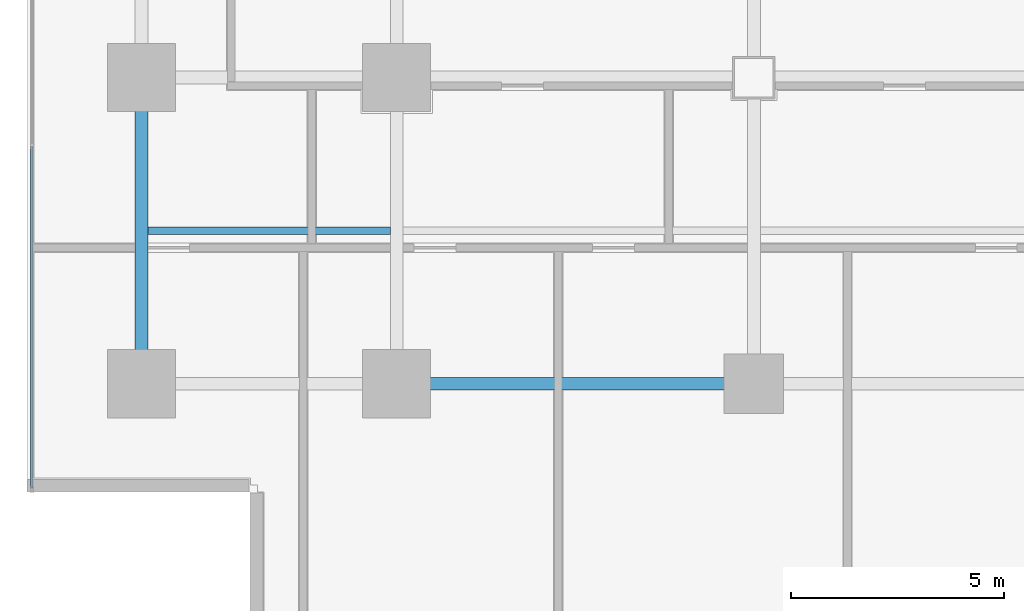
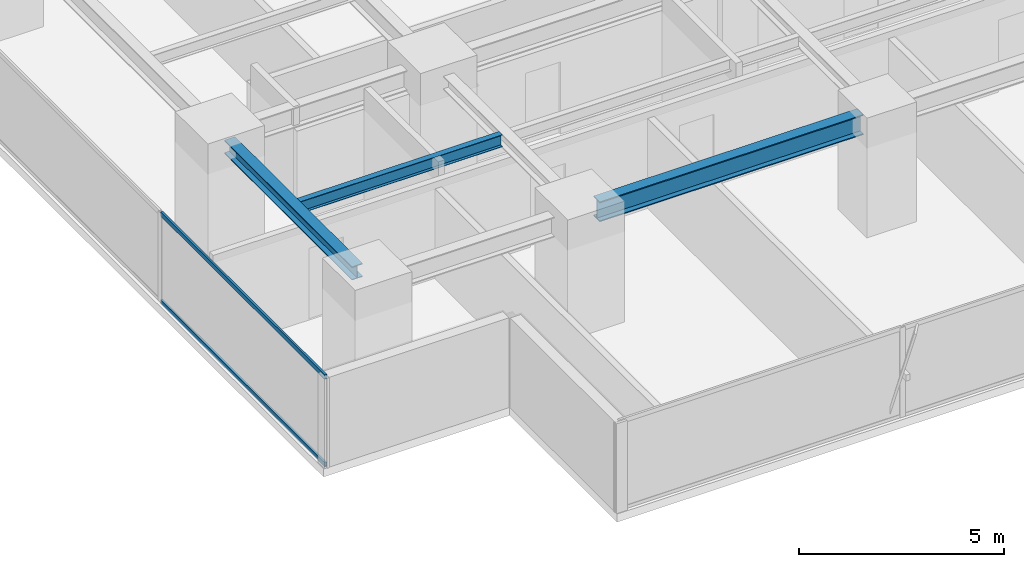
# One storey, part 3 of 36: 3 beams, 2 members, 1 element without a shape of its own.
"""IFC4 building model written with IfcOpenShell, lengths in metres."""

from ifc_helpers import new_model, si_unit, direction, frame, origin, origin_2d, place, context, subcontext, project, spatial, hollow_rectangle, i_section, extrude, source, transform, mapped, material, layer, layer_set, material_profile, profile_set, type_object, element, aggregate, save


model = new_model("IFC4")

# Units and contexts
model_context = context("Model", 3, precision=1e-05, world=origin(), true_north=direction((0.0, 1.0)))
body_context = subcontext(model_context, "Body", "Model", "MODEL_VIEW")
ifc_project = project(units=[si_unit("LENGTHUNIT", "METRE"), si_unit("AREAUNIT", "SQUARE_METRE"), si_unit("VOLUMEUNIT", "CUBIC_METRE"), si_unit("PLANEANGLEUNIT", "RADIAN"), si_unit("MASSUNIT", "GRAM", prefix="KILO")], contexts=[model_context])

# Site, building, storey
site_placement = place(None, origin())
site = spatial("IfcSite", under=ifc_project, at=site_placement, CompositionType="ELEMENT")
building_placement = place(site_placement, origin())
building = spatial("IfcBuilding", under=site, at=building_placement, Name="Sumidabori Civic Tower", CompositionType="ELEMENT")
storey_placement = place(building_placement, frame((0.0, 0.0, 120.800048828125)))
storey = spatial("IfcBuildingStorey", under=building, at=storey_placement, Name="L31", CompositionType="ELEMENT", Elevation=120.800048828125)

# Beams
ifc_material_1 = material(Name="Steel SN490", Category="steel")
ifc_material_profile_1 = material_profile(ifc_material_1, i_section(OverallWidth=0.300048828125, OverallDepth=0.60009765625, WebThickness=0.015380859375, FlangeThickness=0.030029296875, at=origin_2d()), Name="HE 600 B")
ifc_profile_set_1 = profile_set([ifc_material_profile_1], Name="Steel SN490")
beam_type_1 = type_object("IfcBeamType", Name="BM-GIRD-600", PredefinedType="BEAM", material=ifc_profile_set_1)
shared_shape_1 = source(origin(), body_context, "Body", "SweptSolid", [
    extrude(i_section(OverallWidth=0.300048828125, OverallDepth=0.60009765625, WebThickness=0.015380859375, FlangeThickness=0.030029296875, at=origin_2d()), origin(), (0.0, 0.0, 1.0), 7.440185546875),
])
beam_1_placement = place(storey_placement, frame((-16.320068359375, -18.0, 3.0), z_axis=(1.0, 0.0, 0.0), x_axis=(0.0, 1.0, 0.0)))
element("IfcBeam", 1, at=beam_1_placement, inside=storey, type_object=beam_type_1, Name="Primary Girder L31 GX-02", PredefinedType="BEAM", context=body_context, shape_type="MappedRepresentation", body=[
    mapped(shared_shape_1, transform((0.0, 0.0, 0.0), x_axis=(1.0, 0.0, 0.0), y_axis=(0.0, 1.0, 0.0), z_axis=(0.0, 0.0, 1.0), scale=1.0)),
])
ifc_material_profile_2 = material_profile(ifc_material_1, i_section(OverallWidth=0.300048828125, OverallDepth=0.39990234375, WebThickness=0.013427734375, FlangeThickness=0.02392578125, at=origin_2d()), Name="HE 400 B")
ifc_profile_set_2 = profile_set([ifc_material_profile_2], Name="Steel SN490")
beam_type_2 = type_object("IfcBeamType", Name="BM-GIRD-400", PredefinedType="BEAM", material=ifc_profile_set_2)
shared_shape_2 = source(origin(), body_context, "Body", "SweptSolid", [
    extrude(i_section(OverallWidth=0.300048828125, OverallDepth=0.39990234375, WebThickness=0.013427734375, FlangeThickness=0.02392578125, at=origin_2d()), origin(), (0.0, 0.0, 1.0), 6.239990234375),
])
beam_2_placement = place(storey_placement, frame((-22.800048828125, -17.52001953125, 3.099853515625), z_axis=(0.0, 1.0, 0.0), x_axis=(-1.0, 0.0, 0.0)))
element("IfcBeam", 2, at=beam_2_placement, inside=storey, type_object=beam_type_2, Name="Primary Girder L31 GY-21", PredefinedType="BEAM", context=body_context, shape_type="MappedRepresentation", body=[
    mapped(shared_shape_2, transform((0.0, 0.0, 0.0), x_axis=(1.0, 0.0, 0.0), y_axis=(0.0, 1.0, 0.0), z_axis=(0.0, 0.0, 1.0), scale=1.0)),
])
ifc_material_profile_3 = material_profile(ifc_material_1, i_section(OverallWidth=0.169921875, OverallDepth=0.360107421875, WebThickness=0.008056640625, FlangeThickness=0.0126953125, at=origin_2d()), Name="IPE 360")
ifc_profile_set_3 = profile_set([ifc_material_profile_3], Name="Steel SN490")
beam_type_3 = type_object("IfcBeamType", Name="BM-JST-360", PredefinedType="JOIST", material=ifc_profile_set_3)
shared_shape_3 = source(origin(), body_context, "Body", "SweptSolid", [
    extrude(i_section(OverallWidth=0.169921875, OverallDepth=0.360107421875, WebThickness=0.008056640625, FlangeThickness=0.0126953125, at=origin_2d()), origin(), (0.0, 0.0, 1.0), 5.699951171875),
])
beam_3_placement = place(storey_placement, frame((-22.64990234375, -14.39990234375, 3.119873046875), z_axis=(1.0, 0.0, 0.0), x_axis=(0.0, 1.0, 0.0)))
element("IfcBeam", 3, at=beam_3_placement, inside=storey, type_object=beam_type_3, Name="Outer Bay Floor Joist L31 JSTO-51", PredefinedType="JOIST", context=body_context, shape_type="MappedRepresentation", body=[
    mapped(shared_shape_3, transform((0.0, 0.0, 0.0), x_axis=(1.0, 0.0, 0.0), y_axis=(0.0, 1.0, 0.0), z_axis=(0.0, 0.0, 1.0), scale=1.0)),
])

# Curtain wall, members
ifc_material_2 = material(Name="Anodised Bronze Aluminium AW-6063-T6", Category="aluminium")
ifc_layer = layer(ifc_material_2, 0.179931640625, Name="Anodised Bronze Aluminium AW-6063-T6")
ifc_layer_set = layer_set([ifc_layer], Name="Anodised Bronze Aluminium AW-6063-T6")
curtain_wall_type = type_object("IfcCurtainWallType", Name="CW-SYS-3", PredefinedType="NOTDEFINED", material=ifc_layer_set)
curtain_wall_placement = place(storey_placement, origin())
curtain_wall = element("IfcCurtainWall", 4, at=curtain_wall_placement, inside=storey, type_object=curtain_wall_type, Name="Curtain Wall CW:L31:R10", PredefinedType="NOTDEFINED")
ifc_material_profile_4 = material_profile(ifc_material_2, hollow_rectangle(XDim=0.06005859375, YDim=0.1298828125, WallThickness=0.0048828125, at=origin_2d()), Name="ALU TRANSOM 130x60")
ifc_profile_set_4 = profile_set([ifc_material_profile_4], Name="Anodised Bronze Aluminium AW-6063-T6")
member_type = type_object("IfcMemberType", Name="CW-TRN-130", PredefinedType="USERDEFINED", material=ifc_profile_set_4)
shared_shape_4 = source(origin(), body_context, "Body", "SweptSolid", [
    extrude(hollow_rectangle(XDim=0.06005859375, YDim=0.1298828125, WallThickness=0.0048828125, at=origin_2d()), origin(), (0.0, 0.0, 1.0), 8.030517578125),
])
member_1_placement = place(storey_placement, frame((-25.3798828125, -12.424560546875, 0.030029296875), z_axis=(0.0, -1.0, 0.0), x_axis=(1.0, 0.0, 0.0)))
member_1 = element("IfcMember", 5, at=member_1_placement, type_object=member_type, Name="CW-3 transom 5.1", ObjectType="TRANSOM", PredefinedType="USERDEFINED", context=body_context, shape_type="MappedRepresentation", body=[
    mapped(shared_shape_4, transform((0.0, 0.0, 0.0), x_axis=(1.0, 0.0, 0.0), y_axis=(0.0, 1.0, 0.0), z_axis=(0.0, 0.0, 1.0), scale=1.0)),
])
member_2_placement = place(storey_placement, frame((-25.3798828125, -12.424560546875, 2.64990234375), z_axis=(0.0, -1.0, 0.0), x_axis=(1.0, 0.0, 0.0)))
member_2 = element("IfcMember", 6, at=member_2_placement, type_object=member_type, Name="CW-3 transom 5.2", ObjectType="TRANSOM", PredefinedType="USERDEFINED", context=body_context, shape_type="MappedRepresentation", body=[
    mapped(shared_shape_4, transform((0.0, 0.0, 0.0), x_axis=(1.0, 0.0, 0.0), y_axis=(0.0, 1.0, 0.0), z_axis=(0.0, 0.0, 1.0), scale=1.0)),
])
aggregate(curtain_wall, [member_1, member_2])

save(model, "model.ifc")
